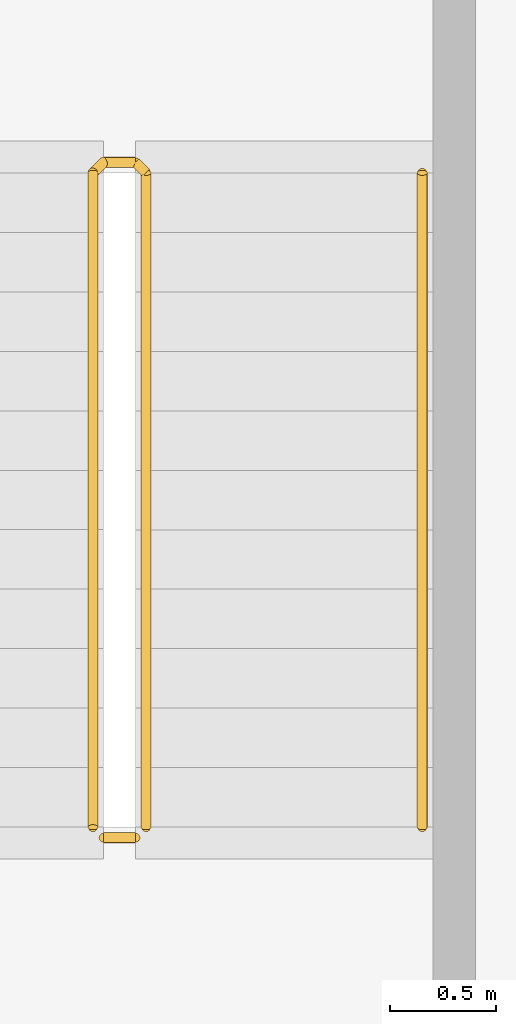
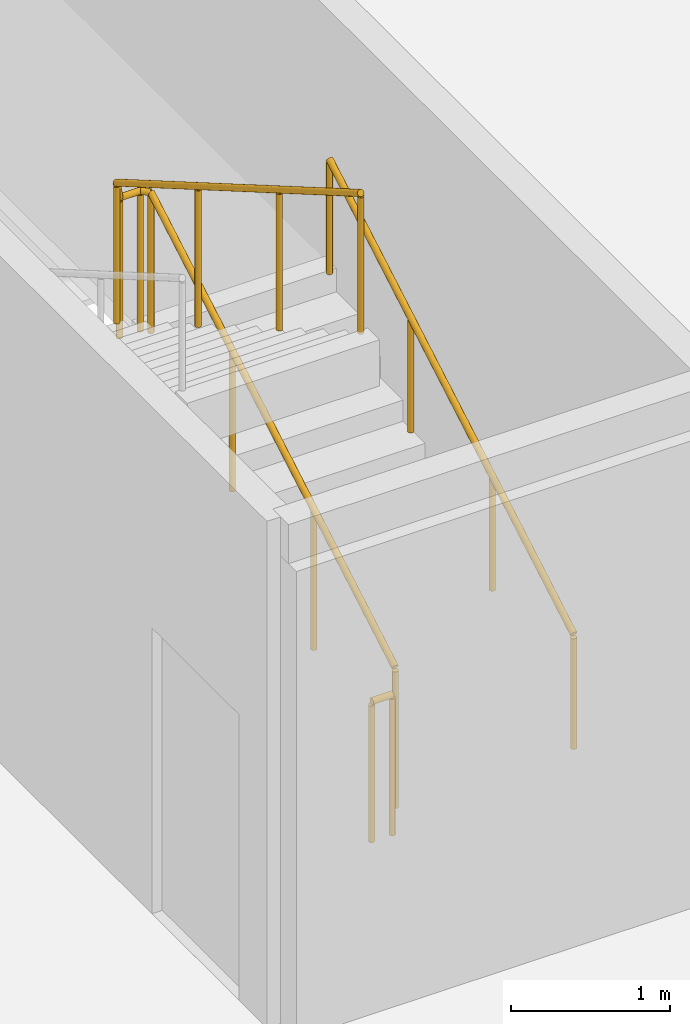
# One storey, part 20 of 21: 3 railings.
"""IFC4 building model written with IfcOpenShell, lengths in metres."""

from ifc_helpers import new_model, si_unit, direction, frame, origin, origin_2d, place, context, subcontext, project, spatial, circle, extrude, material, type_object, element, save


model = new_model("IFC4")

# Units and contexts
model_context = context("Model", 3, precision=1e-05, world=origin(), true_north=direction((0.0, 1.0)))
body_context = subcontext(model_context, "Body", "Model", "MODEL_VIEW")
ifc_project = project(units=[si_unit("LENGTHUNIT", "METRE"), si_unit("AREAUNIT", "SQUARE_METRE"), si_unit("VOLUMEUNIT", "CUBIC_METRE"), si_unit("PLANEANGLEUNIT", "RADIAN"), si_unit("MASSUNIT", "GRAM", prefix="KILO")], contexts=[model_context])

# Site, building, storey
site_placement = place(None, origin())
site = spatial("IfcSite", under=ifc_project, at=site_placement, CompositionType="ELEMENT")
building_placement = place(site_placement, origin())
building = spatial("IfcBuilding", under=site, at=building_placement, Name="Kheshtan School and Residences Tower", CompositionType="ELEMENT")
storey_placement = place(building_placement, frame((0.0, 0.0, 235.699951171875)))
storey = spatial("IfcBuildingStorey", under=building, at=storey_placement, Name="L55", CompositionType="ELEMENT", Elevation=235.699951171875)

# Railings
ifc_material_1 = material(Name="Stainless steel balustrade", Category="steel")
railing_type_1 = type_object("IfcRailingType", Name="Stair guard 1100", PredefinedType="GUARDRAIL", material=ifc_material_1)
railing_1_placement = place(storey_placement, frame((35.0, 80.89990234375, 0.16259765625)))
element("IfcRailing", 1, at=railing_1_placement, inside=storey, type_object=railing_type_1, Name="L55 ST3 stair guard 1", PredefinedType="GUARDRAIL", context=body_context, shape_type="SweptSolid", body=[
    extrude(circle(Radius=0.02392578125, at=origin_2d()), frame((0.0, 0.0, 1.076171875), z_axis=(0.0, 0.864920483161, 0.501908913857), x_axis=(-1.0, 0.0, 0.0)), (0.0, 0.0, 1.0), 3.56103515625),
    extrude(circle(Radius=0.02392578125, at=origin_2d()), frame((0.0, 3.080078125, 2.86328125), z_axis=(-0.707106781187, 0.707106781187, 0.0), x_axis=(-0.707106781187, -0.707106781187, 0.0)), (0.0, 0.0, 1.0), 0.07080078125),
    extrude(circle(Radius=0.02392578125, at=origin_2d()), frame((-0.050048828125, 3.130126953125, 2.86328125), z_axis=(-1.0, 0.0, 0.0), x_axis=(0.0, -1.0, 0.0)), (0.0, 0.0, 1.0), 0.14990234375),
    extrude(circle(Radius=0.02392578125, at=origin_2d()), frame((-0.199951171875, 3.130126953125, 2.86328125), z_axis=(-0.282227285176, -0.282227285176, 0.916894497205), x_axis=(0.707106781187, -0.707106781187, 0.0)), (0.0, 0.0, 1.0), 0.17724609375),
    extrude(circle(Radius=0.02392578125, at=origin_2d()), frame((-0.25, 3.080078125, 3.02587890625), z_axis=(0.0, -0.864890721111, 0.501960198159), x_axis=(1.0, 0.0, 0.0)), (0.0, 0.0, 1.0), 3.561279296875),
    extrude(circle(Radius=0.02099609375, at=origin_2d()), origin(), (0.0, 0.0, 1.0), 1.052001953125),
    extrude(circle(Radius=0.02099609375, at=origin_2d()), frame((0.0, 1.026611328125, 0.595703125)), (0.0, 0.0, 1.0), 1.052001953125),
    extrude(circle(Radius=0.02099609375, at=origin_2d()), frame((0.0, 2.053466796875, 1.191650390625)), (0.0, 0.0, 1.0), 1.052001953125),
    extrude(circle(Radius=0.02099609375, at=origin_2d()), frame((0.0, 3.080078125, 1.787353515625)), (0.0, 0.0, 1.0), 1.052001953125),
    extrude(circle(Radius=0.02099609375, at=origin_2d()), frame((-0.050048828125, 3.130126953125, 1.787353515625)), (0.0, 0.0, 1.0), 1.052001953125),
    extrude(circle(Radius=0.02099609375, at=origin_2d()), frame((-0.199951171875, 3.130126953125, 1.787353515625)), (0.0, 0.0, 1.0), 1.052001953125),
    extrude(circle(Radius=0.02099609375, at=origin_2d()), frame((-0.25, 3.080078125, 1.949951171875)), (0.0, 0.0, 1.0), 1.052001953125),
    extrude(circle(Radius=0.02099609375, at=origin_2d()), frame((-0.25, 2.053466796875, 2.5458984375)), (0.0, 0.0, 1.0), 1.052001953125),
    extrude(circle(Radius=0.02099609375, at=origin_2d()), frame((-0.25, 1.026611328125, 3.1416015625)), (0.0, 0.0, 1.0), 1.052001953125),
    extrude(circle(Radius=0.02099609375, at=origin_2d()), frame((-0.25, 0.0, 3.737548828125)), (0.0, 0.0, 1.0), 1.052001953125),
])
railing_2_placement = place(storey_placement, frame((34.949951171875, 80.85009765625, 0.0)))
element("IfcRailing", 2, at=railing_2_placement, inside=storey, type_object=railing_type_1, Name="L55 ST3 stair guard 2", PredefinedType="GUARDRAIL", context=body_context, shape_type="SweptSolid", body=[
    extrude(circle(Radius=0.02392578125, at=origin_2d()), frame((0.0, 0.0, 1.076171875), z_axis=(-1.0, 0.0, 0.0), x_axis=(0.0, -1.0, 0.0)), (0.0, 0.0, 1.0), 0.14990234375),
    extrude(circle(Radius=0.02099609375, at=origin_2d()), origin(), (0.0, 0.0, 1.0), 1.052001953125),
    extrude(circle(Radius=0.02099609375, at=origin_2d()), frame((-0.14990234375, 0.0, 0.0)), (0.0, 0.0, 1.0), 1.052001953125),
])
ifc_material_2 = material(Name="Stainless steel handrail", Category="steel")
railing_type_2 = type_object("IfcRailingType", Name="Stair handrail 900", PredefinedType="HANDRAIL", material=ifc_material_2)
railing_3_placement = place(storey_placement, frame((36.300048828125, 80.89990234375, 0.16259765625)))
element("IfcRailing", 3, at=railing_3_placement, inside=storey, type_object=railing_type_2, Name="L55 ST3 stair handrail 1", PredefinedType="HANDRAIL", context=body_context, shape_type="SweptSolid", body=[
    extrude(circle(Radius=0.02392578125, at=origin_2d()), frame((0.0, 0.0, 0.8759765625), z_axis=(0.0, 0.864920483161, 0.501908913857), x_axis=(-1.0, 0.0, 0.0)), (0.0, 0.0, 1.0), 3.56103515625),
    extrude(circle(Radius=0.02099609375, at=origin_2d()), origin(), (0.0, 0.0, 1.0), 0.851806640625),
    extrude(circle(Radius=0.02099609375, at=origin_2d()), frame((0.0, 1.026611328125, 0.595703125)), (0.0, 0.0, 1.0), 0.851806640625),
    extrude(circle(Radius=0.02099609375, at=origin_2d()), frame((0.0, 2.053466796875, 1.191650390625)), (0.0, 0.0, 1.0), 0.851806640625),
    extrude(circle(Radius=0.02099609375, at=origin_2d()), frame((0.0, 3.080078125, 1.787353515625)), (0.0, 0.0, 1.0), 0.851806640625),
])

save(model, "model.ifc")
